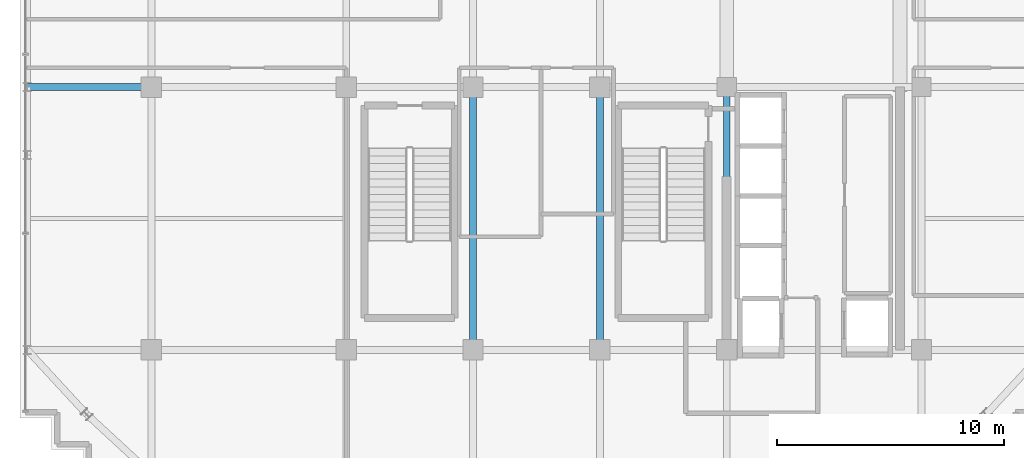
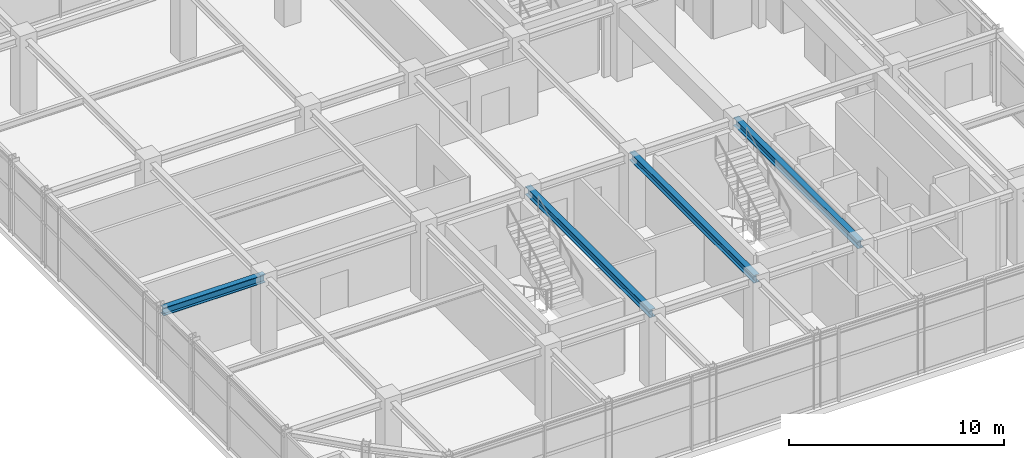
# One storey, part 7 of 20: 4 beams.
"""IFC4 building model written with IfcOpenShell, lengths in metres."""

from ifc_helpers import new_model, si_unit, direction, frame, origin, origin_2d, place, context, subcontext, project, spatial, i_section, extrude, source, transform, mapped, material, material_profile, profile_set, type_object, element, save


model = new_model("IFC4")

# Units and contexts
model_context = context("Model", 3, precision=1e-05, world=origin(), true_north=direction((0.0, 1.0)))
body_context = subcontext(model_context, "Body", "Model", "MODEL_VIEW")
ifc_project = project(units=[si_unit("LENGTHUNIT", "METRE"), si_unit("AREAUNIT", "SQUARE_METRE"), si_unit("VOLUMEUNIT", "CUBIC_METRE"), si_unit("PLANEANGLEUNIT", "RADIAN"), si_unit("MASSUNIT", "GRAM", prefix="KILO")], contexts=[model_context])

# Site, building, storey
site_placement = place(None, origin())
site = spatial("IfcSite", under=ifc_project, at=site_placement, CompositionType="ELEMENT")
building_placement = place(site_placement, origin())
building = spatial("IfcBuilding", under=site, at=building_placement, Name="Nahalor Promenade Grand Hotel", CompositionType="ELEMENT")
storey_placement = place(building_placement, frame((0.0, 0.0, 347.550048828125)))
storey = spatial("IfcBuildingStorey", under=building, at=storey_placement, Name="L89", CompositionType="ELEMENT", Elevation=347.550048828125)

# Beams
ifc_material = material(Name="Steel S355JR", Category="steel")
ifc_material_profile = material_profile(ifc_material, i_section(OverallWidth=0.3, OverallDepth=0.45, WebThickness=0.014, FlangeThickness=0.026, at=origin_2d()), Name="HEB 450")
ifc_profile_set = profile_set([ifc_material_profile], Name="Steel S355JR")
beam_type = type_object("IfcBeamType", Name="Beam-Girder-HEB450", PredefinedType="BEAM", material=ifc_profile_set)
shared_shape_1 = source(origin(), body_context, "Body", "SweptSolid", [
    extrude(i_section(OverallWidth=0.3, OverallDepth=0.45, WebThickness=0.014, FlangeThickness=0.026, at=origin_2d()), origin(), (0.0, 0.0, 1.0), 11.60009765625),
])
for number, where, z_axis, x_axis, name in (
    (1, (-2.800048828125, -17.0, 3.945068359375), (0.0, 1.0, 0.0), (-1.0, 0.0, 0.0), "BM-L89-GY-2-1"),
    (2, (2.800048828125, -17.0, 3.945068359375), (0.0, 1.0, 0.0), (-1.0, 0.0, 0.0), "BM-L89-GY-3-1"),
    (3, (8.39990234375, -17.0, 3.945068359375), (0.0, 1.0, 0.0), (-1.0, 0.0, 0.0), "BM-L89-GY-4-1"),
):
    element("IfcBeam", number, at=place(storey_placement, frame(where, z_axis=z_axis, x_axis=x_axis)), inside=storey, type_object=beam_type, Name=name, PredefinedType="BEAM", context=body_context, shape_type="MappedRepresentation", body=[
        mapped(shared_shape_1, transform((0.0, 0.0, 0.0), scale=1.0)),
    ])
shared_shape_2 = source(origin(), body_context, "Body", "SweptSolid", [
    extrude(i_section(OverallWidth=0.3, OverallDepth=0.45, WebThickness=0.014, FlangeThickness=0.026, at=origin_2d()), origin(), (0.0, 0.0, 1.0), 5.47998046875),
])
beam_placement = place(storey_placement, frame((-22.47998046875, -5.39990234375, 3.945068359375), z_axis=(1.0, 0.0, 0.0), x_axis=(0.0, 1.0, 0.0)))
element("IfcBeam", 4, at=beam_placement, inside=storey, type_object=beam_type, Name="BM-L89-GX-1-0", PredefinedType="BEAM", context=body_context, shape_type="MappedRepresentation", body=[
    mapped(shared_shape_2, transform((0.0, 0.0, 0.0), scale=1.0)),
])

save(model, "model.ifc")
